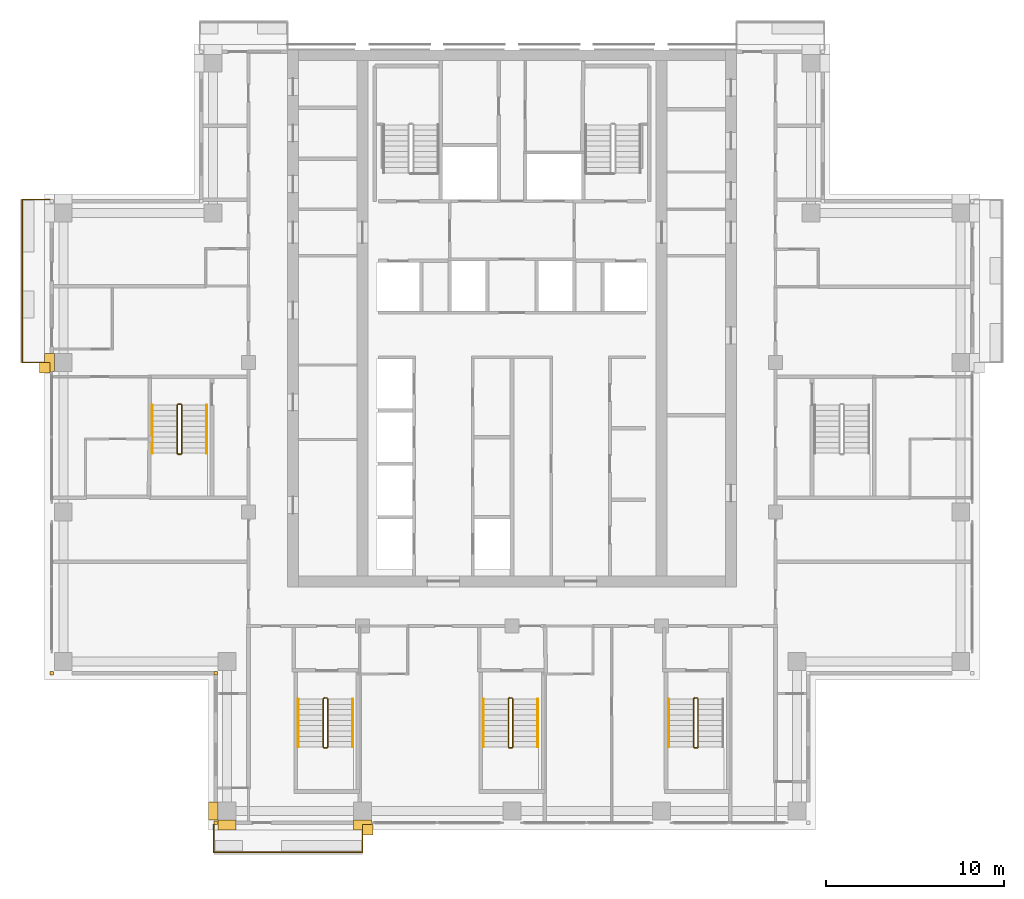
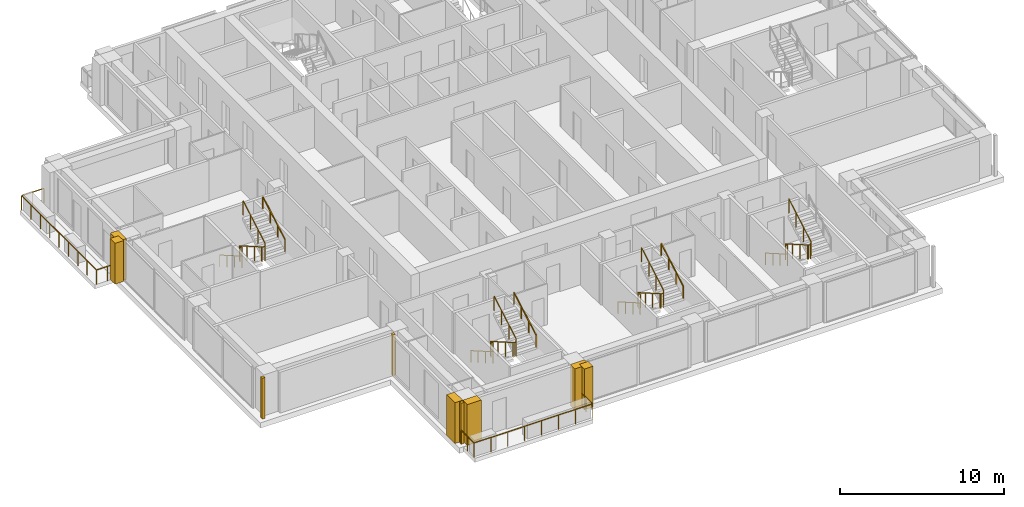
# One storey, part 14 of 16: 13 railings, 9 coverings.
"""IFC4 building model written with IfcOpenShell, lengths in metres."""

from ifc_helpers import new_model, si_unit, direction, frame, origin, origin_2d, place, context, subcontext, project, spatial, polyline, rectangle, outline, extrude, material, type_object, element, save


model = new_model("IFC4")

# Units and contexts
model_context = context("Model", 3, precision=1e-05, world=origin(), true_north=direction((0.0, 1.0)))
body_context = subcontext(model_context, "Body", "Model", "MODEL_VIEW")
ifc_project = project(units=[si_unit("LENGTHUNIT", "METRE"), si_unit("AREAUNIT", "SQUARE_METRE"), si_unit("VOLUMEUNIT", "CUBIC_METRE"), si_unit("PLANEANGLEUNIT", "RADIAN"), si_unit("MASSUNIT", "GRAM", prefix="KILO")], contexts=[model_context])

# Site, building, storey
site_placement = place(None, origin())
site = spatial("IfcSite", under=ifc_project, at=site_placement, CompositionType="ELEMENT")
building_placement = place(site_placement, origin())
building = spatial("IfcBuilding", under=site, at=building_placement, Name="Vermilion Ogive Tower", CompositionType="ELEMENT")
storey_placement = place(building_placement, frame((0.0, 0.0, 179.0)))
storey = spatial("IfcBuildingStorey", under=building, at=storey_placement, Name="L46", CompositionType="ELEMENT", Elevation=179.0)

# Railings
ifc_material_1 = material(Name="Stainless steel and glass", Category="steel")
railing_type_1 = type_object("IfcRailingType", Name="Balcony guard", PredefinedType="GUARDRAIL", material=ifc_material_1)
railing_1_placement = place(storey_placement, frame((-16.75, -21.75, -0.0400390625)))
element("IfcRailing", 1, at=railing_1_placement, inside=storey, type_object=railing_type_1, Name="Guard S01", PredefinedType="GUARDRAIL", context=body_context, shape_type="SweptSolid", body=[
    extrude(rectangle(XDim=0.048095703125, YDim=0.048095703125, at=origin_2d()), frame((0.0, 0.0, 1.076171875), z_axis=(0.0, -1.0, 0.0), x_axis=(1.0, 0.0, 0.0)), (0.0, 0.0, 1.0), 1.56396484375),
    extrude(rectangle(XDim=0.048095703125, YDim=0.048095703125, at=origin_2d()), frame((0.0, -1.56396484375, 1.076171875), z_axis=(1.0, 0.0, 0.0), x_axis=(0.0, 1.0, 0.0)), (0.0, 0.0, 1.0), 8.35009765625),
    extrude(rectangle(XDim=0.048095703125, YDim=0.048095703125, at=origin_2d()), frame((8.35009765625, -1.56396484375, 1.076171875), z_axis=(0.0, 1.0, 0.0), x_axis=(-1.0, 0.0, 0.0)), (0.0, 0.0, 1.0), 1.56396484375),
    extrude(rectangle(XDim=0.0419921875, YDim=0.0419921875, at=origin_2d()), origin(), (0.0, 0.0, 1.0), 1.052001953125),
    extrude(rectangle(XDim=0.0419921875, YDim=0.0419921875, at=origin_2d()), frame((0.0, -0.781982421875, 0.0)), (0.0, 0.0, 1.0), 1.052001953125),
    extrude(rectangle(XDim=0.0419921875, YDim=0.0419921875, at=origin_2d()), frame((0.0, -1.56396484375, 0.0)), (0.0, 0.0, 1.0), 1.052001953125),
    extrude(rectangle(XDim=0.0419921875, YDim=0.0419921875, at=origin_2d()), frame((1.19287109375, -1.56396484375, 0.0)), (0.0, 0.0, 1.0), 1.052001953125),
    extrude(rectangle(XDim=0.0419921875, YDim=0.0419921875, at=origin_2d()), frame((2.3857421875, -1.56396484375, 0.0)), (0.0, 0.0, 1.0), 1.052001953125),
    extrude(rectangle(XDim=0.0419921875, YDim=0.0419921875, at=origin_2d()), frame((3.57861328125, -1.56396484375, 0.0)), (0.0, 0.0, 1.0), 1.052001953125),
    extrude(rectangle(XDim=0.0419921875, YDim=0.0419921875, at=origin_2d()), frame((4.771484375, -1.56396484375, 0.0)), (0.0, 0.0, 1.0), 1.052001953125),
    extrude(rectangle(XDim=0.0419921875, YDim=0.0419921875, at=origin_2d()), frame((5.96435546875, -1.56396484375, 0.0)), (0.0, 0.0, 1.0), 1.052001953125),
    extrude(rectangle(XDim=0.0419921875, YDim=0.0419921875, at=origin_2d()), frame((7.1572265625, -1.56396484375, 0.0)), (0.0, 0.0, 1.0), 1.052001953125),
    extrude(rectangle(XDim=0.0419921875, YDim=0.0419921875, at=origin_2d()), frame((8.35009765625, -1.56396484375, 0.0)), (0.0, 0.0, 1.0), 1.052001953125),
    extrude(rectangle(XDim=0.0419921875, YDim=0.0419921875, at=origin_2d()), frame((8.35009765625, -0.781982421875, 0.0)), (0.0, 0.0, 1.0), 1.052001953125),
    extrude(rectangle(XDim=0.0419921875, YDim=0.0419921875, at=origin_2d()), frame((8.35009765625, 0.0, 0.0)), (0.0, 0.0, 1.0), 1.052001953125),
])
railing_2_placement = place(storey_placement, frame((-25.949951171875, 13.35009765625, -0.0400390625)))
element("IfcRailing", 2, at=railing_2_placement, inside=storey, type_object=railing_type_1, Name="Guard W01", PredefinedType="GUARDRAIL", context=body_context, shape_type="SweptSolid", body=[
    extrude(rectangle(XDim=0.048095703125, YDim=0.048095703125, at=origin_2d()), frame((0.0, 0.0, 1.076171875), z_axis=(-1.0, 0.0, 0.0), x_axis=(0.0, -1.0, 0.0)), (0.0, 0.0, 1.0), 1.56396484375),
    extrude(rectangle(XDim=0.048095703125, YDim=0.048095703125, at=origin_2d()), frame((-1.56396484375, 0.0, 1.076171875), z_axis=(0.0, -1.0, 0.0), x_axis=(1.0, 0.0, 0.0)), (0.0, 0.0, 1.0), 9.150146484375),
    extrude(rectangle(XDim=0.048095703125, YDim=0.048095703125, at=origin_2d()), frame((-1.56396484375, -9.150146484375, 1.076171875), z_axis=(1.0, 0.0, 0.0), x_axis=(0.0, 1.0, 0.0)), (0.0, 0.0, 1.0), 1.56396484375),
    extrude(rectangle(XDim=0.0419921875, YDim=0.0419921875, at=origin_2d()), origin(), (0.0, 0.0, 1.0), 1.052001953125),
    extrude(rectangle(XDim=0.0419921875, YDim=0.0419921875, at=origin_2d()), frame((-0.781982421875, 0.0, 0.0)), (0.0, 0.0, 1.0), 1.052001953125),
    extrude(rectangle(XDim=0.0419921875, YDim=0.0419921875, at=origin_2d()), frame((-1.56396484375, 0.0, 0.0)), (0.0, 0.0, 1.0), 1.052001953125),
    extrude(rectangle(XDim=0.0419921875, YDim=0.0419921875, at=origin_2d()), frame((-1.56396484375, -1.143798828125, 0.0)), (0.0, 0.0, 1.0), 1.052001953125),
    extrude(rectangle(XDim=0.0419921875, YDim=0.0419921875, at=origin_2d()), frame((-1.56396484375, -2.28759765625, 0.0)), (0.0, 0.0, 1.0), 1.052001953125),
    extrude(rectangle(XDim=0.0419921875, YDim=0.0419921875, at=origin_2d()), frame((-1.56396484375, -3.431396484375, 0.0)), (0.0, 0.0, 1.0), 1.052001953125),
    extrude(rectangle(XDim=0.0419921875, YDim=0.0419921875, at=origin_2d()), frame((-1.56396484375, -4.5751953125, 0.0)), (0.0, 0.0, 1.0), 1.052001953125),
    extrude(rectangle(XDim=0.0419921875, YDim=0.0419921875, at=origin_2d()), frame((-1.56396484375, -5.71875, 0.0)), (0.0, 0.0, 1.0), 1.052001953125),
    extrude(rectangle(XDim=0.0419921875, YDim=0.0419921875, at=origin_2d()), frame((-1.56396484375, -6.862548828125, 0.0)), (0.0, 0.0, 1.0), 1.052001953125),
    extrude(rectangle(XDim=0.0419921875, YDim=0.0419921875, at=origin_2d()), frame((-1.56396484375, -8.00634765625, 0.0)), (0.0, 0.0, 1.0), 1.052001953125),
    extrude(rectangle(XDim=0.0419921875, YDim=0.0419921875, at=origin_2d()), frame((-1.56396484375, -9.150146484375, 0.0)), (0.0, 0.0, 1.0), 1.052001953125),
    extrude(rectangle(XDim=0.0419921875, YDim=0.0419921875, at=origin_2d()), frame((-0.781982421875, -9.150146484375, 0.0)), (0.0, 0.0, 1.0), 1.052001953125),
    extrude(rectangle(XDim=0.0419921875, YDim=0.0419921875, at=origin_2d()), frame((0.0, -9.150146484375, 0.0)), (0.0, 0.0, 1.0), 1.052001953125),
])
ifc_material_2 = material(Name="Steel S355 painted", Category="steel")
railing_type_2 = type_object("IfcRailingType", Name="Stair guard 1100", PredefinedType="GUARDRAIL", material=ifc_material_2)
railing_3_placement = place(storey_placement, frame((-10.39990234375, -14.64990234375, 0.0)))
element("IfcRailing", 3, at=railing_3_placement, inside=storey, type_object=railing_type_2, Name="L46 ST3 stair guard 4", PredefinedType="GUARDRAIL", context=body_context, shape_type="SweptSolid", body=[
    extrude(rectangle(XDim=0.048095703125, YDim=0.048095703125, at=origin_2d()), frame((0.0, 0.0, 1.076171875), z_axis=(-1.0, 0.0, 0.0), x_axis=(0.0, -1.0, 0.0)), (0.0, 0.0, 1.0), 0.150146484375),
    extrude(rectangle(XDim=0.048095703125, YDim=0.048095703125, at=origin_2d()), frame((-0.150146484375, 0.0, 1.076171875), z_axis=(-0.268277960024, -0.268277960024, 0.925231793839), x_axis=(0.707106781187, -0.707106781187, 0.0)), (0.0, 0.0, 1.0), 0.1865234375),
    extrude(rectangle(XDim=0.048095703125, YDim=0.048095703125, at=origin_2d()), frame((-0.2001953125, -0.050048828125, 1.24853515625), z_axis=(0.0, -0.866903762492, 0.498475542607), x_axis=(1.0, 0.0, 0.0)), (0.0, 0.0, 1.0), 3.114501953125),
    extrude(rectangle(XDim=0.048095703125, YDim=0.048095703125, at=origin_2d()), frame((-0.2001953125, -2.75, 2.80126953125), z_axis=(0.707106781187, -0.707106781187, 0.0), x_axis=(0.707106781187, 0.707106781187, 0.0)), (0.0, 0.0, 1.0), 0.07080078125),
    extrude(rectangle(XDim=0.048095703125, YDim=0.048095703125, at=origin_2d()), frame((-0.150146484375, -2.800048828125, 2.80126953125), z_axis=(1.0, 0.0, 0.0), x_axis=(0.0, 1.0, 0.0)), (0.0, 0.0, 1.0), 0.150146484375),
    extrude(rectangle(XDim=0.048095703125, YDim=0.048095703125, at=origin_2d()), frame((0.0, -2.800048828125, 2.80126953125), z_axis=(0.267386790225, 0.268697509785, 0.925368009307), x_axis=(-0.708833529934, 0.705375805398, 0.0)), (0.0, 0.0, 1.0), 0.186279296875),
    extrude(rectangle(XDim=0.048095703125, YDim=0.048095703125, at=origin_2d()), frame((0.0498046875, -2.75, 2.9736328125), z_axis=(0.0, 0.866903762492, 0.498475542607), x_axis=(-1.0, 0.0, 0.0)), (0.0, 0.0, 1.0), 3.114501953125),
    extrude(rectangle(XDim=0.0419921875, YDim=0.0419921875, at=origin_2d()), origin(), (0.0, 0.0, 1.0), 1.052001953125),
    extrude(rectangle(XDim=0.0419921875, YDim=0.0419921875, at=origin_2d()), frame((-0.150146484375, 0.0, 0.0)), (0.0, 0.0, 1.0), 1.052001953125),
    extrude(rectangle(XDim=0.0419921875, YDim=0.0419921875, at=origin_2d()), frame((-0.2001953125, -0.050048828125, 0.172607421875)), (0.0, 0.0, 1.0), 1.052001953125),
    extrude(rectangle(XDim=0.0419921875, YDim=0.0419921875, at=origin_2d()), frame((-0.2001953125, -0.949951171875, 0.690185546875)), (0.0, 0.0, 1.0), 1.052001953125),
    extrude(rectangle(XDim=0.0419921875, YDim=0.0419921875, at=origin_2d()), frame((-0.2001953125, -1.85009765625, 1.20751953125)), (0.0, 0.0, 1.0), 1.052001953125),
    extrude(rectangle(XDim=0.0419921875, YDim=0.0419921875, at=origin_2d()), frame((-0.2001953125, -2.75, 1.72509765625)), (0.0, 0.0, 1.0), 1.052001953125),
    extrude(rectangle(XDim=0.0419921875, YDim=0.0419921875, at=origin_2d()), frame((-0.150146484375, -2.800048828125, 1.72509765625)), (0.0, 0.0, 1.0), 1.052001953125),
    extrude(rectangle(XDim=0.0419921875, YDim=0.0419921875, at=origin_2d()), frame((0.0, -2.800048828125, 1.72509765625)), (0.0, 0.0, 1.0), 1.052001953125),
    extrude(rectangle(XDim=0.0419921875, YDim=0.0419921875, at=origin_2d()), frame((0.0498046875, -2.75, 1.8974609375)), (0.0, 0.0, 1.0), 1.052001953125),
    extrude(rectangle(XDim=0.0419921875, YDim=0.0419921875, at=origin_2d()), frame((0.0498046875, -1.85009765625, 2.4150390625)), (0.0, 0.0, 1.0), 1.052001953125),
    extrude(rectangle(XDim=0.0419921875, YDim=0.0419921875, at=origin_2d()), frame((0.0498046875, -0.949951171875, 2.932373046875)), (0.0, 0.0, 1.0), 1.052001953125),
    extrude(rectangle(XDim=0.0419921875, YDim=0.0419921875, at=origin_2d()), frame((0.0498046875, -0.050048828125, 3.449951171875)), (0.0, 0.0, 1.0), 1.052001953125),
])
railing_4_placement = place(storey_placement, frame((0.0, -14.64990234375, 0.0)))
element("IfcRailing", 4, at=railing_4_placement, inside=storey, type_object=railing_type_2, Name="L46 ST4 stair guard 4", PredefinedType="GUARDRAIL", context=body_context, shape_type="SweptSolid", body=[
    extrude(rectangle(XDim=0.048095703125, YDim=0.048095703125, at=origin_2d()), frame((0.0, 0.0, 1.076171875), z_axis=(-1.0, 0.0, 0.0), x_axis=(0.0, -1.0, 0.0)), (0.0, 0.0, 1.0), 0.14990234375),
    extrude(rectangle(XDim=0.048095703125, YDim=0.048095703125, at=origin_2d()), frame((-0.14990234375, 0.0, 1.076171875), z_axis=(-0.268277960024, -0.268277960024, 0.925231793839), x_axis=(0.707106781187, -0.707106781187, 0.0)), (0.0, 0.0, 1.0), 0.1865234375),
    extrude(rectangle(XDim=0.048095703125, YDim=0.048095703125, at=origin_2d()), frame((-0.199951171875, -0.050048828125, 1.24853515625), z_axis=(0.0, -0.866903762492, 0.498475542607), x_axis=(1.0, 0.0, 0.0)), (0.0, 0.0, 1.0), 3.114501953125),
    extrude(rectangle(XDim=0.048095703125, YDim=0.048095703125, at=origin_2d()), frame((-0.199951171875, -2.75, 2.80126953125), z_axis=(0.707106781187, -0.707106781187, 0.0), x_axis=(0.707106781187, 0.707106781187, 0.0)), (0.0, 0.0, 1.0), 0.07080078125),
    extrude(rectangle(XDim=0.048095703125, YDim=0.048095703125, at=origin_2d()), frame((-0.14990234375, -2.800048828125, 2.80126953125), z_axis=(1.0, 0.0, 0.0), x_axis=(0.0, 1.0, 0.0)), (0.0, 0.0, 1.0), 0.14990234375),
    extrude(rectangle(XDim=0.048095703125, YDim=0.048095703125, at=origin_2d()), frame((0.0, -2.800048828125, 2.80126953125), z_axis=(0.268603158521, 0.268603158521, 0.925043072762), x_axis=(-0.707106781187, 0.707106781187, 0.0)), (0.0, 0.0, 1.0), 0.186279296875),
    extrude(rectangle(XDim=0.048095703125, YDim=0.048095703125, at=origin_2d()), frame((0.050048828125, -2.75, 2.9736328125), z_axis=(0.0, 0.866903762492, 0.498475542607), x_axis=(-1.0, 0.0, 0.0)), (0.0, 0.0, 1.0), 3.114501953125),
    extrude(rectangle(XDim=0.0419921875, YDim=0.0419921875, at=origin_2d()), origin(), (0.0, 0.0, 1.0), 1.052001953125),
    extrude(rectangle(XDim=0.0419921875, YDim=0.0419921875, at=origin_2d()), frame((-0.14990234375, 0.0, 0.0)), (0.0, 0.0, 1.0), 1.052001953125),
    extrude(rectangle(XDim=0.0419921875, YDim=0.0419921875, at=origin_2d()), frame((-0.199951171875, -0.050048828125, 0.172607421875)), (0.0, 0.0, 1.0), 1.052001953125),
    extrude(rectangle(XDim=0.0419921875, YDim=0.0419921875, at=origin_2d()), frame((-0.199951171875, -0.949951171875, 0.690185546875)), (0.0, 0.0, 1.0), 1.052001953125),
    extrude(rectangle(XDim=0.0419921875, YDim=0.0419921875, at=origin_2d()), frame((-0.199951171875, -1.85009765625, 1.20751953125)), (0.0, 0.0, 1.0), 1.052001953125),
    extrude(rectangle(XDim=0.0419921875, YDim=0.0419921875, at=origin_2d()), frame((-0.199951171875, -2.75, 1.72509765625)), (0.0, 0.0, 1.0), 1.052001953125),
    extrude(rectangle(XDim=0.0419921875, YDim=0.0419921875, at=origin_2d()), frame((-0.14990234375, -2.800048828125, 1.72509765625)), (0.0, 0.0, 1.0), 1.052001953125),
    extrude(rectangle(XDim=0.0419921875, YDim=0.0419921875, at=origin_2d()), frame((0.0, -2.800048828125, 1.72509765625)), (0.0, 0.0, 1.0), 1.052001953125),
    extrude(rectangle(XDim=0.0419921875, YDim=0.0419921875, at=origin_2d()), frame((0.050048828125, -2.75, 1.8974609375)), (0.0, 0.0, 1.0), 1.052001953125),
    extrude(rectangle(XDim=0.0419921875, YDim=0.0419921875, at=origin_2d()), frame((0.050048828125, -1.85009765625, 2.4150390625)), (0.0, 0.0, 1.0), 1.052001953125),
    extrude(rectangle(XDim=0.0419921875, YDim=0.0419921875, at=origin_2d()), frame((0.050048828125, -0.949951171875, 2.932373046875)), (0.0, 0.0, 1.0), 1.052001953125),
    extrude(rectangle(XDim=0.0419921875, YDim=0.0419921875, at=origin_2d()), frame((0.050048828125, -0.050048828125, 3.449951171875)), (0.0, 0.0, 1.0), 1.052001953125),
])
railing_5_placement = place(storey_placement, frame((10.39990234375, -14.64990234375, 0.0)))
element("IfcRailing", 5, at=railing_5_placement, inside=storey, type_object=railing_type_2, Name="L46 ST5 stair guard 4", PredefinedType="GUARDRAIL", context=body_context, shape_type="SweptSolid", body=[
    extrude(rectangle(XDim=0.048095703125, YDim=0.048095703125, at=origin_2d()), frame((0.0, 0.0, 1.076171875), z_axis=(-1.0, 0.0, 0.0), x_axis=(0.0, -1.0, 0.0)), (0.0, 0.0, 1.0), 0.14990234375),
    extrude(rectangle(XDim=0.048095703125, YDim=0.048095703125, at=origin_2d()), frame((-0.14990234375, 0.0, 1.076171875), z_axis=(-0.268277960024, -0.268277960024, 0.925231793839), x_axis=(0.707106781187, -0.707106781187, 0.0)), (0.0, 0.0, 1.0), 0.1865234375),
    extrude(rectangle(XDim=0.048095703125, YDim=0.048095703125, at=origin_2d()), frame((-0.199951171875, -0.050048828125, 1.24853515625), z_axis=(0.0, -0.866903762492, 0.498475542607), x_axis=(1.0, 0.0, 0.0)), (0.0, 0.0, 1.0), 3.114501953125),
    extrude(rectangle(XDim=0.048095703125, YDim=0.048095703125, at=origin_2d()), frame((-0.199951171875, -2.75, 2.80126953125), z_axis=(0.707106781187, -0.707106781187, 0.0), x_axis=(0.707106781187, 0.707106781187, 0.0)), (0.0, 0.0, 1.0), 0.07080078125),
    extrude(rectangle(XDim=0.048095703125, YDim=0.048095703125, at=origin_2d()), frame((-0.14990234375, -2.800048828125, 2.80126953125), z_axis=(1.0, 0.0, 0.0), x_axis=(0.0, 1.0, 0.0)), (0.0, 0.0, 1.0), 0.14990234375),
    extrude(rectangle(XDim=0.048095703125, YDim=0.048095703125, at=origin_2d()), frame((0.0, -2.800048828125, 2.80126953125), z_axis=(0.268603158521, 0.268603158521, 0.925043072762), x_axis=(-0.707106781187, 0.707106781187, 0.0)), (0.0, 0.0, 1.0), 0.186279296875),
    extrude(rectangle(XDim=0.048095703125, YDim=0.048095703125, at=origin_2d()), frame((0.050048828125, -2.75, 2.9736328125), z_axis=(0.0, 0.866903762492, 0.498475542607), x_axis=(-1.0, 0.0, 0.0)), (0.0, 0.0, 1.0), 3.114501953125),
    extrude(rectangle(XDim=0.0419921875, YDim=0.0419921875, at=origin_2d()), origin(), (0.0, 0.0, 1.0), 1.052001953125),
    extrude(rectangle(XDim=0.0419921875, YDim=0.0419921875, at=origin_2d()), frame((-0.14990234375, 0.0, 0.0)), (0.0, 0.0, 1.0), 1.052001953125),
    extrude(rectangle(XDim=0.0419921875, YDim=0.0419921875, at=origin_2d()), frame((-0.199951171875, -0.050048828125, 0.172607421875)), (0.0, 0.0, 1.0), 1.052001953125),
    extrude(rectangle(XDim=0.0419921875, YDim=0.0419921875, at=origin_2d()), frame((-0.199951171875, -0.949951171875, 0.690185546875)), (0.0, 0.0, 1.0), 1.052001953125),
    extrude(rectangle(XDim=0.0419921875, YDim=0.0419921875, at=origin_2d()), frame((-0.199951171875, -1.85009765625, 1.20751953125)), (0.0, 0.0, 1.0), 1.052001953125),
    extrude(rectangle(XDim=0.0419921875, YDim=0.0419921875, at=origin_2d()), frame((-0.199951171875, -2.75, 1.72509765625)), (0.0, 0.0, 1.0), 1.052001953125),
    extrude(rectangle(XDim=0.0419921875, YDim=0.0419921875, at=origin_2d()), frame((-0.14990234375, -2.800048828125, 1.72509765625)), (0.0, 0.0, 1.0), 1.052001953125),
    extrude(rectangle(XDim=0.0419921875, YDim=0.0419921875, at=origin_2d()), frame((0.0, -2.800048828125, 1.72509765625)), (0.0, 0.0, 1.0), 1.052001953125),
    extrude(rectangle(XDim=0.0419921875, YDim=0.0419921875, at=origin_2d()), frame((0.050048828125, -2.75, 1.8974609375)), (0.0, 0.0, 1.0), 1.052001953125),
    extrude(rectangle(XDim=0.0419921875, YDim=0.0419921875, at=origin_2d()), frame((0.050048828125, -1.85009765625, 2.4150390625)), (0.0, 0.0, 1.0), 1.052001953125),
    extrude(rectangle(XDim=0.0419921875, YDim=0.0419921875, at=origin_2d()), frame((0.050048828125, -0.949951171875, 2.932373046875)), (0.0, 0.0, 1.0), 1.052001953125),
    extrude(rectangle(XDim=0.0419921875, YDim=0.0419921875, at=origin_2d()), frame((0.050048828125, -0.050048828125, 3.449951171875)), (0.0, 0.0, 1.0), 1.052001953125),
])
railing_6_placement = place(storey_placement, frame((-18.60009765625, 1.85009765625, 0.0)))
element("IfcRailing", 6, at=railing_6_placement, inside=storey, type_object=railing_type_2, Name="L46 ST9 stair guard 4", PredefinedType="GUARDRAIL", context=body_context, shape_type="SweptSolid", body=[
    extrude(rectangle(XDim=0.048095703125, YDim=0.048095703125, at=origin_2d()), frame((0.0, 0.0, 1.076171875), z_axis=(-1.0, 0.0, 0.0), x_axis=(0.0, -1.0, 0.0)), (0.0, 0.0, 1.0), 0.14990234375),
    extrude(rectangle(XDim=0.048095703125, YDim=0.048095703125, at=origin_2d()), frame((-0.14990234375, 0.0, 1.076171875), z_axis=(-0.268277960024, -0.268277960024, 0.925231793839), x_axis=(0.707106781187, -0.707106781187, 0.0)), (0.0, 0.0, 1.0), 0.1865234375),
    extrude(rectangle(XDim=0.048095703125, YDim=0.048095703125, at=origin_2d()), frame((-0.199951171875, -0.050048828125, 1.24853515625), z_axis=(0.0, -0.866903762492, 0.498475542607), x_axis=(1.0, 0.0, 0.0)), (0.0, 0.0, 1.0), 3.114501953125),
    extrude(rectangle(XDim=0.048095703125, YDim=0.048095703125, at=origin_2d()), frame((-0.199951171875, -2.75, 2.80126953125), z_axis=(0.707106781187, -0.707106781187, 0.0), x_axis=(0.707106781187, 0.707106781187, 0.0)), (0.0, 0.0, 1.0), 0.07080078125),
    extrude(rectangle(XDim=0.048095703125, YDim=0.048095703125, at=origin_2d()), frame((-0.14990234375, -2.800048828125, 2.80126953125), z_axis=(1.0, 0.0, 0.0), x_axis=(0.0, 1.0, 0.0)), (0.0, 0.0, 1.0), 0.14990234375),
    extrude(rectangle(XDim=0.048095703125, YDim=0.048095703125, at=origin_2d()), frame((0.0, -2.800048828125, 2.80126953125), z_axis=(0.268603158521, 0.268603158521, 0.925043072762), x_axis=(-0.707106781187, 0.707106781187, 0.0)), (0.0, 0.0, 1.0), 0.186279296875),
    extrude(rectangle(XDim=0.048095703125, YDim=0.048095703125, at=origin_2d()), frame((0.050048828125, -2.75, 2.9736328125), z_axis=(0.0, 0.866903762492, 0.498475542607), x_axis=(-1.0, 0.0, 0.0)), (0.0, 0.0, 1.0), 3.114501953125),
    extrude(rectangle(XDim=0.0419921875, YDim=0.0419921875, at=origin_2d()), origin(), (0.0, 0.0, 1.0), 1.052001953125),
    extrude(rectangle(XDim=0.0419921875, YDim=0.0419921875, at=origin_2d()), frame((-0.14990234375, 0.0, 0.0)), (0.0, 0.0, 1.0), 1.052001953125),
    extrude(rectangle(XDim=0.0419921875, YDim=0.0419921875, at=origin_2d()), frame((-0.199951171875, -0.050048828125, 0.172607421875)), (0.0, 0.0, 1.0), 1.052001953125),
    extrude(rectangle(XDim=0.0419921875, YDim=0.0419921875, at=origin_2d()), frame((-0.199951171875, -0.949951171875, 0.690185546875)), (0.0, 0.0, 1.0), 1.052001953125),
    extrude(rectangle(XDim=0.0419921875, YDim=0.0419921875, at=origin_2d()), frame((-0.199951171875, -1.85009765625, 1.20751953125)), (0.0, 0.0, 1.0), 1.052001953125),
    extrude(rectangle(XDim=0.0419921875, YDim=0.0419921875, at=origin_2d()), frame((-0.199951171875, -2.75, 1.72509765625)), (0.0, 0.0, 1.0), 1.052001953125),
    extrude(rectangle(XDim=0.0419921875, YDim=0.0419921875, at=origin_2d()), frame((-0.14990234375, -2.800048828125, 1.72509765625)), (0.0, 0.0, 1.0), 1.052001953125),
    extrude(rectangle(XDim=0.0419921875, YDim=0.0419921875, at=origin_2d()), frame((0.0, -2.800048828125, 1.72509765625)), (0.0, 0.0, 1.0), 1.052001953125),
    extrude(rectangle(XDim=0.0419921875, YDim=0.0419921875, at=origin_2d()), frame((0.050048828125, -2.75, 1.8974609375)), (0.0, 0.0, 1.0), 1.052001953125),
    extrude(rectangle(XDim=0.0419921875, YDim=0.0419921875, at=origin_2d()), frame((0.050048828125, -1.85009765625, 2.4150390625)), (0.0, 0.0, 1.0), 1.052001953125),
    extrude(rectangle(XDim=0.0419921875, YDim=0.0419921875, at=origin_2d()), frame((0.050048828125, -0.949951171875, 2.932373046875)), (0.0, 0.0, 1.0), 1.052001953125),
    extrude(rectangle(XDim=0.0419921875, YDim=0.0419921875, at=origin_2d()), frame((0.050048828125, -0.050048828125, 3.449951171875)), (0.0, 0.0, 1.0), 1.052001953125),
])
ifc_material_3 = material(Name="Stainless steel", Category="steel")
railing_type_3 = type_object("IfcRailingType", Name="Stair handrail 900", PredefinedType="HANDRAIL", material=ifc_material_3)
railing_7_placement = place(storey_placement, frame((-12.0, -14.699951171875, 0.172607421875)))
element("IfcRailing", 7, at=railing_7_placement, inside=storey, type_object=railing_type_3, Name="L46 ST3 stair handrail 1", PredefinedType="HANDRAIL", context=body_context, shape_type="SweptSolid", body=[
    extrude(rectangle(XDim=0.048095703125, YDim=0.048095703125, at=origin_2d()), frame((0.0, 0.0, 0.8759765625), z_axis=(0.0, -0.866903762492, 0.498475542607), x_axis=(1.0, 0.0, 0.0)), (0.0, 0.0, 1.0), 3.114501953125),
    extrude(rectangle(XDim=0.0419921875, YDim=0.0419921875, at=origin_2d()), origin(), (0.0, 0.0, 1.0), 0.851806640625),
    extrude(rectangle(XDim=0.0419921875, YDim=0.0419921875, at=origin_2d()), frame((0.0, -0.89990234375, 0.517578125)), (0.0, 0.0, 1.0), 0.851806640625),
    extrude(rectangle(XDim=0.0419921875, YDim=0.0419921875, at=origin_2d()), frame((0.0, -1.800048828125, 1.034912109375)), (0.0, 0.0, 1.0), 0.851806640625),
    extrude(rectangle(XDim=0.0419921875, YDim=0.0419921875, at=origin_2d()), frame((0.0, -2.699951171875, 1.552490234375)), (0.0, 0.0, 1.0), 0.851806640625),
])
railing_8_placement = place(storey_placement, frame((-8.949951171875, -17.39990234375, 1.8974609375)))
element("IfcRailing", 8, at=railing_8_placement, inside=storey, type_object=railing_type_3, Name="L46 ST3 stair handrail 2", PredefinedType="HANDRAIL", context=body_context, shape_type="SweptSolid", body=[
    extrude(rectangle(XDim=0.048095703125, YDim=0.048095703125, at=origin_2d()), frame((0.0, 0.0, 0.8759765625), z_axis=(0.0, 0.866903762492, 0.498475542607), x_axis=(-1.0, 0.0, 0.0)), (0.0, 0.0, 1.0), 3.114501953125),
    extrude(rectangle(XDim=0.0419921875, YDim=0.0419921875, at=origin_2d()), origin(), (0.0, 0.0, 1.0), 0.851806640625),
    extrude(rectangle(XDim=0.0419921875, YDim=0.0419921875, at=origin_2d()), frame((0.0, 0.89990234375, 0.517578125)), (0.0, 0.0, 1.0), 0.851806640625),
    extrude(rectangle(XDim=0.0419921875, YDim=0.0419921875, at=origin_2d()), frame((0.0, 1.800048828125, 1.034912109375)), (0.0, 0.0, 1.0), 0.851806640625),
    extrude(rectangle(XDim=0.0419921875, YDim=0.0419921875, at=origin_2d()), frame((0.0, 2.699951171875, 1.552490234375)), (0.0, 0.0, 1.0), 0.851806640625),
])
railing_9_placement = place(storey_placement, frame((-1.60009765625, -14.699951171875, 0.172607421875)))
element("IfcRailing", 9, at=railing_9_placement, inside=storey, type_object=railing_type_3, Name="L46 ST4 stair handrail 1", PredefinedType="HANDRAIL", context=body_context, shape_type="SweptSolid", body=[
    extrude(rectangle(XDim=0.048095703125, YDim=0.048095703125, at=origin_2d()), frame((0.0, 0.0, 0.8759765625), z_axis=(0.0, -0.866903762492, 0.498475542607), x_axis=(1.0, 0.0, 0.0)), (0.0, 0.0, 1.0), 3.114501953125),
    extrude(rectangle(XDim=0.0419921875, YDim=0.0419921875, at=origin_2d()), origin(), (0.0, 0.0, 1.0), 0.851806640625),
    extrude(rectangle(XDim=0.0419921875, YDim=0.0419921875, at=origin_2d()), frame((0.0, -0.89990234375, 0.517578125)), (0.0, 0.0, 1.0), 0.851806640625),
    extrude(rectangle(XDim=0.0419921875, YDim=0.0419921875, at=origin_2d()), frame((0.0, -1.800048828125, 1.034912109375)), (0.0, 0.0, 1.0), 0.851806640625),
    extrude(rectangle(XDim=0.0419921875, YDim=0.0419921875, at=origin_2d()), frame((0.0, -2.699951171875, 1.552490234375)), (0.0, 0.0, 1.0), 0.851806640625),
])
railing_10_placement = place(storey_placement, frame((1.449951171875, -17.39990234375, 1.8974609375)))
element("IfcRailing", 10, at=railing_10_placement, inside=storey, type_object=railing_type_3, Name="L46 ST4 stair handrail 2", PredefinedType="HANDRAIL", context=body_context, shape_type="SweptSolid", body=[
    extrude(rectangle(XDim=0.048095703125, YDim=0.048095703125, at=origin_2d()), frame((0.0, 0.0, 0.8759765625), z_axis=(0.0, 0.866903762492, 0.498475542607), x_axis=(-1.0, 0.0, 0.0)), (0.0, 0.0, 1.0), 3.114501953125),
    extrude(rectangle(XDim=0.0419921875, YDim=0.0419921875, at=origin_2d()), origin(), (0.0, 0.0, 1.0), 0.851806640625),
    extrude(rectangle(XDim=0.0419921875, YDim=0.0419921875, at=origin_2d()), frame((0.0, 0.89990234375, 0.517578125)), (0.0, 0.0, 1.0), 0.851806640625),
    extrude(rectangle(XDim=0.0419921875, YDim=0.0419921875, at=origin_2d()), frame((0.0, 1.800048828125, 1.034912109375)), (0.0, 0.0, 1.0), 0.851806640625),
    extrude(rectangle(XDim=0.0419921875, YDim=0.0419921875, at=origin_2d()), frame((0.0, 2.699951171875, 1.552490234375)), (0.0, 0.0, 1.0), 0.851806640625),
])
for number, where, name in (
    (11, (8.800048828125, -14.699951171875, 0.172607421875), "L46 ST5 stair handrail 1"),
    (12, (-20.199951171875, 1.800048828125, 0.172607421875), "L46 ST9 stair handrail 1"),
):
    element("IfcRailing", number, at=place(storey_placement, frame(where)), inside=storey, type_object=railing_type_3, Name=name, PredefinedType="HANDRAIL", context=body_context, shape_type="SweptSolid", body=[
        extrude(rectangle(XDim=0.048095703125, YDim=0.048095703125, at=origin_2d()), frame((0.0, 0.0, 0.8759765625), z_axis=(0.0, -0.866903762492, 0.498475542607), x_axis=(1.0, 0.0, 0.0)), (0.0, 0.0, 1.0), 3.114501953125),
        extrude(rectangle(XDim=0.0419921875, YDim=0.0419921875, at=origin_2d()), origin(), (0.0, 0.0, 1.0), 0.851806640625),
        extrude(rectangle(XDim=0.0419921875, YDim=0.0419921875, at=origin_2d()), frame((0.0, -0.89990234375, 0.517578125)), (0.0, 0.0, 1.0), 0.851806640625),
        extrude(rectangle(XDim=0.0419921875, YDim=0.0419921875, at=origin_2d()), frame((0.0, -1.800048828125, 1.034912109375)), (0.0, 0.0, 1.0), 0.851806640625),
        extrude(rectangle(XDim=0.0419921875, YDim=0.0419921875, at=origin_2d()), frame((0.0, -2.699951171875, 1.552490234375)), (0.0, 0.0, 1.0), 0.851806640625),
    ])
railing_11_placement = place(storey_placement, frame((-17.14990234375, -0.89990234375, 1.8974609375)))
element("IfcRailing", 13, at=railing_11_placement, inside=storey, type_object=railing_type_3, Name="L46 ST9 stair handrail 2", PredefinedType="HANDRAIL", context=body_context, shape_type="SweptSolid", body=[
    extrude(rectangle(XDim=0.048095703125, YDim=0.048095703125, at=origin_2d()), frame((0.0, 0.0, 0.8759765625), z_axis=(0.0, 0.866903762492, 0.498475542607), x_axis=(-1.0, 0.0, 0.0)), (0.0, 0.0, 1.0), 3.114501953125),
    extrude(rectangle(XDim=0.0419921875, YDim=0.0419921875, at=origin_2d()), origin(), (0.0, 0.0, 1.0), 0.851806640625),
    extrude(rectangle(XDim=0.0419921875, YDim=0.0419921875, at=origin_2d()), frame((0.0, 0.89990234375, 0.517578125)), (0.0, 0.0, 1.0), 0.851806640625),
    extrude(rectangle(XDim=0.0419921875, YDim=0.0419921875, at=origin_2d()), frame((0.0, 1.800048828125, 1.034912109375)), (0.0, 0.0, 1.0), 0.851806640625),
    extrude(rectangle(XDim=0.0419921875, YDim=0.0419921875, at=origin_2d()), frame((0.0, 2.699951171875, 1.552490234375)), (0.0, 0.0, 1.0), 0.851806640625),
])

# Coverings
ifc_material_4 = material(Name="Stone cladding", Category="masonry")
covering_type_1 = type_object("IfcCoveringType", Name="Stone corner buttress", PredefinedType="CLADDING", material=ifc_material_4)
covering_1_placement = place(storey_placement, origin())
element("IfcCovering", 14, at=covering_1_placement, inside=storey, type_object=covering_type_1, Name="Stone crease pier SK", PredefinedType="CLADDING", context=body_context, shape_type="SweptSolid", body=[
    extrude(outline(polyline([(-8.39990234375, -22.35009765625), (-7.800048828125, -22.35009765625), (-7.800048828125, -21.75), (-8.39990234375, -21.75), (-8.39990234375, -22.35009765625)])), origin(), (0.0, 0.0, 1.0), 3.050048828125),
])
covering_2_placement = place(storey_placement, origin())
element("IfcCovering", 15, at=covering_2_placement, inside=storey, type_object=covering_type_1, Name="Stone crease pier WK", PredefinedType="CLADDING", context=body_context, shape_type="SweptSolid", body=[
    extrude(outline(polyline([(-26.550048828125, 4.199951171875), (-26.550048828125, 3.60009765625), (-25.949951171875, 3.60009765625), (-25.949951171875, 4.199951171875), (-26.550048828125, 4.199951171875)])), origin(), (0.0, 0.0, 1.0), 3.050048828125),
])
ifc_material_5 = material(Name="Stone cladding", Category="masonry")
covering_type_2 = type_object("IfcCoveringType", Name="Stone pier", PredefinedType="CLADDING", material=ifc_material_5)
covering_3_placement = place(storey_placement, origin())
element("IfcCovering", 16, at=covering_3_placement, inside=storey, type_object=covering_type_2, Name="Stone corner pier WE1", PredefinedType="CLADDING", context=body_context, shape_type="SweptSolid", body=[
    extrude(outline(polyline([(-25.75, -13.14990234375), (-25.75, -13.35009765625), (-25.949951171875, -13.35009765625), (-25.949951171875, -13.14990234375), (-25.75, -13.14990234375)])), origin(), (0.0, 0.0, 1.0), 3.050048828125),
])
covering_4_placement = place(storey_placement, origin())
element("IfcCovering", 17, at=covering_4_placement, inside=storey, type_object=covering_type_2, Name="Stone corner pier X7E1", PredefinedType="CLADDING", context=body_context, shape_type="SweptSolid", body=[
    extrude(outline(polyline([(-16.550048828125, -13.14990234375), (-16.550048828125, -13.35009765625), (-16.75, -13.35009765625), (-16.75, -13.14990234375), (-16.550048828125, -13.14990234375)])), origin(), (0.0, 0.0, 1.0), 3.050048828125),
])
covering_5_placement = place(storey_placement, origin())
element("IfcCovering", 18, at=covering_5_placement, inside=storey, type_object=covering_type_2, Name="Stone corner pier X8E1", PredefinedType="CLADDING", context=body_context, shape_type="SweptSolid", body=[
    extrude(outline(polyline([(-16.550048828125, -21.550048828125), (-16.550048828125, -21.75), (-16.75, -21.75), (-16.75, -21.550048828125), (-16.550048828125, -21.550048828125)])), origin(), (0.0, 0.0, 1.0), 3.050048828125),
])
covering_6_placement = place(storey_placement, origin())
element("IfcCovering", 19, at=covering_6_placement, inside=storey, type_object=covering_type_2, Name="Stone pier P-0084-210", PredefinedType="CLADDING", context=body_context, shape_type="SweptSolid", body=[
    extrude(outline(polyline([(-7.89990234375, -21.75), (-8.39990234375, -21.75), (-8.39990234375, -22.050048828125), (-8.89990234375, -22.050048828125), (-8.89990234375, -21.5), (-7.89990234375, -21.5), (-7.89990234375, -21.75)])), origin(), (0.0, 0.0, 1.0), 3.050048828125),
])
covering_7_placement = place(storey_placement, origin())
element("IfcCovering", 20, at=covering_7_placement, inside=storey, type_object=covering_type_2, Name="Stone pier P-0160-210S", PredefinedType="CLADDING", context=body_context, shape_type="SweptSolid", body=[
    extrude(outline(polyline([(-15.5, -22.050048828125), (-16.5, -22.050048828125), (-16.5, -21.5), (-15.5, -21.5), (-15.5, -22.050048828125)])), origin(), (0.0, 0.0, 1.0), 3.050048828125),
])
covering_8_placement = place(storey_placement, origin())
element("IfcCovering", 21, at=covering_8_placement, inside=storey, type_object=covering_type_2, Name="Stone pier P-0160-210X8", PredefinedType="CLADDING", context=body_context, shape_type="SweptSolid", body=[
    extrude(outline(polyline([(-17.050048828125, -20.5), (-16.5, -20.5), (-16.5, -21.5), (-17.050048828125, -21.5), (-17.050048828125, -20.5)])), origin(), (0.0, 0.0, 1.0), 3.050048828125),
])
covering_9_placement = place(storey_placement, origin())
element("IfcCovering", 22, at=covering_9_placement, inside=storey, type_object=covering_type_2, Name="Stone pier P-0252+042", PredefinedType="CLADDING", context=body_context, shape_type="SweptSolid", body=[
    extrude(outline(polyline([(-25.699951171875, 3.699951171875), (-25.949951171875, 3.699951171875), (-25.949951171875, 4.199951171875), (-26.25, 4.199951171875), (-26.25, 4.699951171875), (-25.699951171875, 4.699951171875), (-25.699951171875, 4.699951171875), (-25.699951171875, 3.699951171875)])), origin(), (0.0, 0.0, 1.0), 3.050048828125),
])

save(model, "model.ifc")
